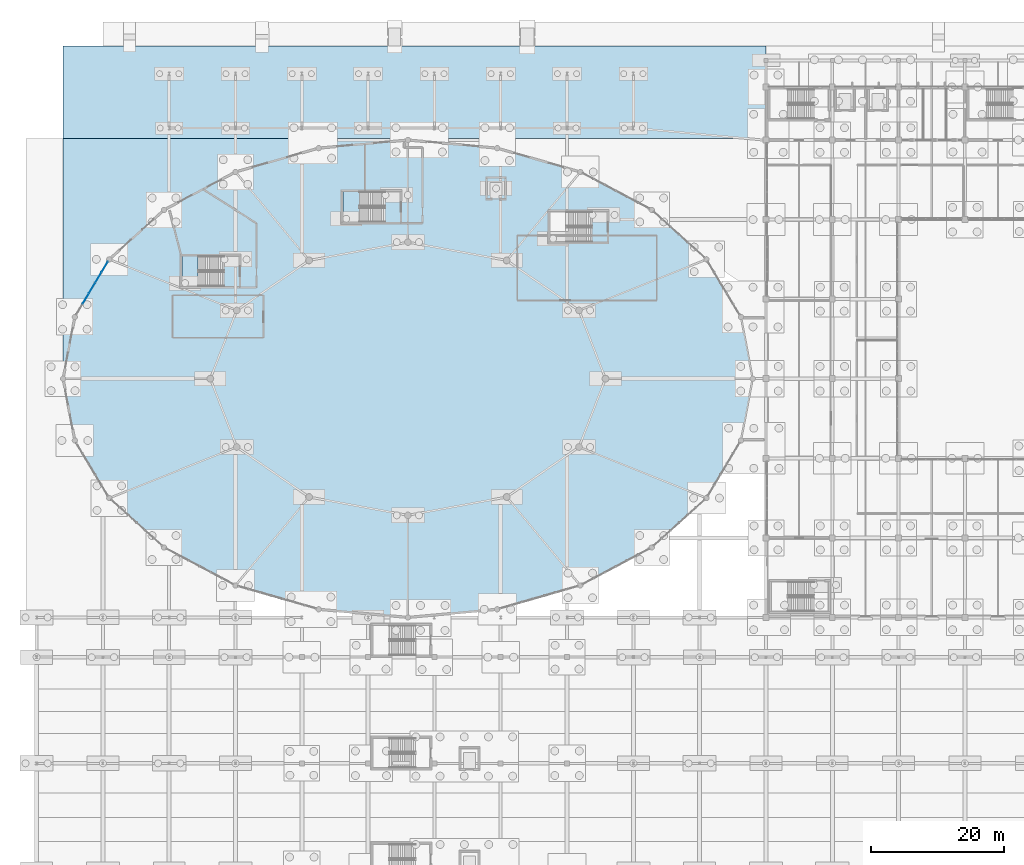
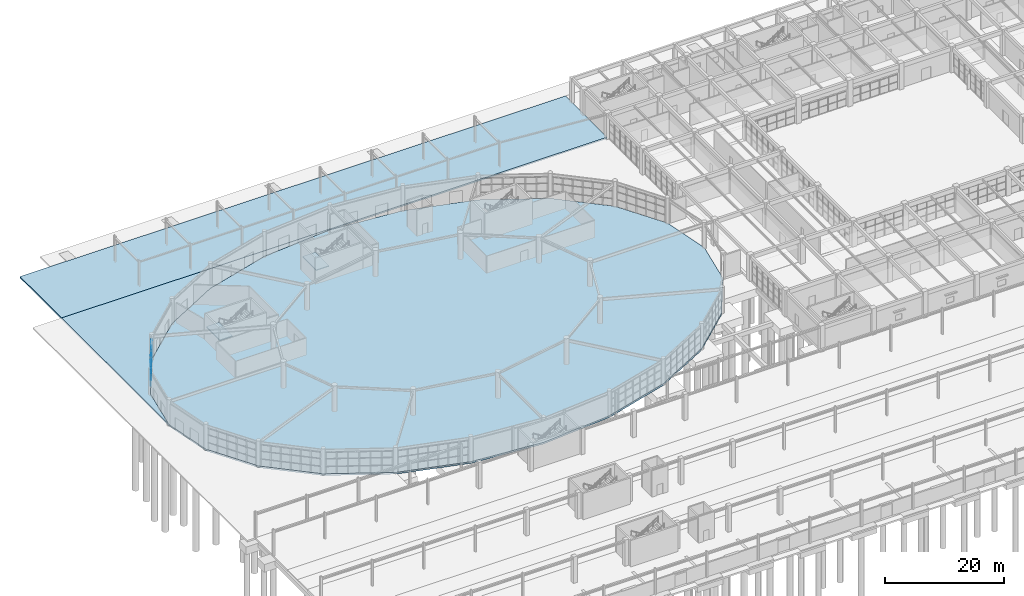
# One storey, part 68 of 99: 12 plates, 5 slabs, 3 elements without a shape of their own.
"""IFC4 building model written with IfcOpenShell, lengths in metres."""

from ifc_helpers import new_model, si_unit, direction, frame, origin, origin_2d, place, context, subcontext, project, spatial, polyline, rectangle, outline, extrude, material, layer, layer_set, type_object, element, aggregate, save


model = new_model("IFC4")

# Units and contexts
model_context = context("Model", 3, precision=1e-05, world=origin(), true_north=direction((0.0, 1.0)))
body_context = subcontext(model_context, "Body", "Model", "MODEL_VIEW")
ifc_project = project(units=[si_unit("LENGTHUNIT", "METRE"), si_unit("AREAUNIT", "SQUARE_METRE"), si_unit("VOLUMEUNIT", "CUBIC_METRE"), si_unit("PLANEANGLEUNIT", "RADIAN"), si_unit("MASSUNIT", "GRAM", prefix="KILO")], contexts=[model_context])

# Site, building, storey
site_placement = place(None, origin())
site = spatial("IfcSite", under=ifc_project, at=site_placement, CompositionType="ELEMENT")
building_placement = place(site_placement, origin())
building = spatial("IfcBuilding", under=site, at=building_placement, Name="Kivolera Central Railway Station", CompositionType="ELEMENT")
storey_placement = place(building_placement, origin())
storey = spatial("IfcBuildingStorey", under=building, at=storey_placement, Name="L00", CompositionType="ELEMENT", Elevation=0.0)

# Curtain wall, plates
ifc_material_1 = material(Name="Anodised aluminium", Category="aluminium")
ifc_layer_1 = layer(ifc_material_1, 0.179931640625, Name="Anodised aluminium")
ifc_layer_set_1 = layer_set([ifc_layer_1], Name="Anodised aluminium")
curtain_wall_type = type_object("IfcCurtainWallType", Name="CW-SYS-01", PredefinedType="NOTDEFINED", material=ifc_layer_set_1)
curtain_wall_placement = place(storey_placement, origin())
curtain_wall = element("IfcCurtainWall", 1, at=curtain_wall_placement, inside=storey, type_object=curtain_wall_type, Name="L00 Curtain Wall CW-L00-OVL-10", PredefinedType="NOTDEFINED")
ifc_material_2 = material(Name="Double low-E laminated glass", Category="glass")
ifc_layer_2 = layer(ifc_material_2, 0.02587890625, Name="Double low-E laminated glass")
ifc_layer_set_2 = layer_set([ifc_layer_2], Name="Double low-E laminated glass")
plate_type = type_object("IfcPlateType", Name="CWP-GLZ-1", PredefinedType="CURTAIN_PANEL", material=ifc_layer_set_2)
plate_1_placement = place(storey_placement, frame((15.41259765625, 102.05908203125, 0.05810546875), z_axis=(0.0, 0.0, 1.0), x_axis=(0.513453894052, 0.858117182372, 0.0)))
plate_1 = element("IfcPlate", 2, at=plate_1_placement, type_object=plate_type, Name="CW-01 panel 2.1", PredefinedType="CURTAIN_PANEL", context=body_context, shape_type="SweptSolid", body=[
    extrude(rectangle(XDim=1.81787109375, YDim=0.02587890625, at=origin_2d()), origin(), (0.0, 0.0, 1.0), 1.511474609375),
])
plate_2_placement = place(storey_placement, frame((15.41259765625, 102.05908203125, 1.615478515625), z_axis=(0.0, 0.0, 1.0), x_axis=(0.513453894052, 0.858117182372, 0.0)))
plate_2 = element("IfcPlate", 3, at=plate_2_placement, type_object=plate_type, Name="CW-01 panel 2.2", PredefinedType="CURTAIN_PANEL", context=body_context, shape_type="SweptSolid", body=[
    extrude(rectangle(XDim=1.81787109375, YDim=0.02587890625, at=origin_2d()), origin(), (0.0, 0.0, 1.0), 1.54638671875),
])
plate_3_placement = place(storey_placement, frame((15.41259765625, 102.05908203125, 3.2080078125), z_axis=(0.0, 0.0, 1.0), x_axis=(0.513453894052, 0.858117182372, 0.0)))
plate_3 = element("IfcPlate", 4, at=plate_3_placement, type_object=plate_type, Name="CW-01 panel 2.3", PredefinedType="CURTAIN_PANEL", context=body_context, shape_type="SweptSolid", body=[
    extrude(rectangle(XDim=1.81787109375, YDim=0.02587890625, at=origin_2d()), origin(), (0.0, 0.0, 1.0), 1.283935546875),
])
plate_4_placement = place(storey_placement, frame((16.369384765625, 103.658447265625, 0.05810546875), z_axis=(0.0, 0.0, 1.0), x_axis=(0.513453894052, 0.858117182372, 0.0)))
plate_4 = element("IfcPlate", 5, at=plate_4_placement, type_object=plate_type, Name="CW-01 panel 3.1", PredefinedType="CURTAIN_PANEL", context=body_context, shape_type="SweptSolid", body=[
    extrude(rectangle(XDim=1.81787109375, YDim=0.02587890625, at=origin_2d()), origin(), (0.0, 0.0, 1.0), 1.511474609375),
])
plate_5_placement = place(storey_placement, frame((16.369384765625, 103.658447265625, 1.615478515625), z_axis=(0.0, 0.0, 1.0), x_axis=(0.513453894052, 0.858117182372, 0.0)))
plate_5 = element("IfcPlate", 6, at=plate_5_placement, type_object=plate_type, Name="CW-01 panel 3.2", PredefinedType="CURTAIN_PANEL", context=body_context, shape_type="SweptSolid", body=[
    extrude(rectangle(XDim=1.81787109375, YDim=0.02587890625, at=origin_2d()), origin(), (0.0, 0.0, 1.0), 1.54638671875),
])
plate_6_placement = place(storey_placement, frame((16.369384765625, 103.658447265625, 3.2080078125), z_axis=(0.0, 0.0, 1.0), x_axis=(0.513453894052, 0.858117182372, 0.0)))
plate_6 = element("IfcPlate", 7, at=plate_6_placement, type_object=plate_type, Name="CW-01 panel 3.3", PredefinedType="CURTAIN_PANEL", context=body_context, shape_type="SweptSolid", body=[
    extrude(rectangle(XDim=1.81787109375, YDim=0.02587890625, at=origin_2d()), origin(), (0.0, 0.0, 1.0), 1.283935546875),
])
plate_7_placement = place(storey_placement, frame((17.326416015625, 105.2578125, 0.05810546875), z_axis=(0.0, 0.0, 1.0), x_axis=(0.513453894052, 0.858117182372, 0.0)))
plate_7 = element("IfcPlate", 8, at=plate_7_placement, type_object=plate_type, Name="CW-01 panel 4.1", PredefinedType="CURTAIN_PANEL", context=body_context, shape_type="SweptSolid", body=[
    extrude(rectangle(XDim=1.81787109375, YDim=0.02587890625, at=origin_2d()), origin(), (0.0, 0.0, 1.0), 1.511474609375),
])
plate_8_placement = place(storey_placement, frame((17.326416015625, 105.2578125, 1.615478515625), z_axis=(0.0, 0.0, 1.0), x_axis=(0.513453894052, 0.858117182372, 0.0)))
plate_8 = element("IfcPlate", 9, at=plate_8_placement, type_object=plate_type, Name="CW-01 panel 4.2", PredefinedType="CURTAIN_PANEL", context=body_context, shape_type="SweptSolid", body=[
    extrude(rectangle(XDim=1.81787109375, YDim=0.02587890625, at=origin_2d()), origin(), (0.0, 0.0, 1.0), 1.54638671875),
])
plate_9_placement = place(storey_placement, frame((17.326416015625, 105.2578125, 3.2080078125), z_axis=(0.0, 0.0, 1.0), x_axis=(0.513453894052, 0.858117182372, 0.0)))
plate_9 = element("IfcPlate", 10, at=plate_9_placement, type_object=plate_type, Name="CW-01 panel 4.3", PredefinedType="CURTAIN_PANEL", context=body_context, shape_type="SweptSolid", body=[
    extrude(rectangle(XDim=1.81787109375, YDim=0.02587890625, at=origin_2d()), origin(), (0.0, 0.0, 1.0), 1.283935546875),
])
plate_10_placement = place(storey_placement, frame((18.2744140625, 106.84228515625, 0.05810546875), z_axis=(0.0, 0.0, 1.0), x_axis=(0.513453894052, 0.858117182372, 0.0)))
plate_10 = element("IfcPlate", 11, at=plate_10_placement, type_object=plate_type, Name="CW-01 panel 5.1", PredefinedType="CURTAIN_PANEL", context=body_context, shape_type="SweptSolid", body=[
    extrude(rectangle(XDim=1.782958984375, YDim=0.02587890625, at=origin_2d()), origin(), (0.0, 0.0, 1.0), 1.511474609375),
])
plate_11_placement = place(storey_placement, frame((18.2744140625, 106.84228515625, 1.615478515625), z_axis=(0.0, 0.0, 1.0), x_axis=(0.513453894052, 0.858117182372, 0.0)))
plate_11 = element("IfcPlate", 12, at=plate_11_placement, type_object=plate_type, Name="CW-01 panel 5.2", PredefinedType="CURTAIN_PANEL", context=body_context, shape_type="SweptSolid", body=[
    extrude(rectangle(XDim=1.782958984375, YDim=0.02587890625, at=origin_2d()), origin(), (0.0, 0.0, 1.0), 1.54638671875),
])
plate_12_placement = place(storey_placement, frame((18.2744140625, 106.84228515625, 3.2080078125), z_axis=(0.0, 0.0, 1.0), x_axis=(0.513453894052, 0.858117182372, 0.0)))
plate_12 = element("IfcPlate", 13, at=plate_12_placement, type_object=plate_type, Name="CW-01 panel 5.3", PredefinedType="CURTAIN_PANEL", context=body_context, shape_type="SweptSolid", body=[
    extrude(rectangle(XDim=1.782958984375, YDim=0.02587890625, at=origin_2d()), origin(), (0.0, 0.0, 1.0), 1.283935546875),
])
aggregate(curtain_wall, [plate_1, plate_2, plate_3, plate_4, plate_5, plate_6, plate_7, plate_8, plate_9, plate_10, plate_11, plate_12])

# Slabs
ifc_material_3 = material(Name="Concrete C35/45", Category="concrete")
ifc_layer_3 = layer(ifc_material_3, 0.35009765625, Name="Concrete C35/45")
ifc_layer_set_3 = layer_set([ifc_layer_3], Name="Concrete C35/45")
slab_type_1 = type_object("IfcSlabType", Name="SLB-BASE-350", PredefinedType="BASESLAB", material=ifc_layer_set_3)
slab_1_placement = place(storey_placement, frame((0.0, 0.0, -0.35009765625)))
element("IfcSlab", 14, at=slab_1_placement, inside=storey, type_object=slab_type_1, Name="L00 Oval Ticket Hall and Concourse Base Slab", PredefinedType="BASESLAB", context=body_context, shape_type="SweptSolid", body=[
    extrude(outline(polyline([(116.0, 90.0), (114.22802734375, 99.31689453125), (109.032958984375, 108.0), (100.77001953125, 115.4560546875), (90.0, 121.177001953125), (77.458984375, 124.77294921875), (64.0, 126.0), (50.541015625, 124.77294921875), (38.0, 121.177001953125), (27.22998046875, 115.4560546875), (18.967041015625, 108.0), (13.77197265625, 99.31689453125), (12.0, 90.0), (13.77197265625, 80.68310546875), (18.967041015625, 72.0), (27.22998046875, 64.5439453125), (38.0, 58.822998046875), (50.541015625, 55.22705078125), (64.0, 54.0), (77.458984375, 55.22705078125), (90.0, 58.822998046875), (100.77001953125, 64.5439453125), (109.032958984375, 72.0), (114.22802734375, 80.68310546875), (116.0, 90.0)])), origin(), (0.0, 0.0, 1.0), 0.35009765625),
])
ifc_layer_4 = layer(ifc_material_3, 0.300048828125, Name="Concrete C35/45")
ifc_layer_set_4 = layer_set([ifc_layer_4], Name="Concrete C35/45")
slab_type_2 = type_object("IfcSlabType", Name="SLB-EXT-300", PredefinedType="BASESLAB", material=ifc_layer_set_4)
slab_2_placement = place(storey_placement, frame((0.0, 0.0, -0.300048828125)))
element("IfcSlab", 15, at=slab_2_placement, inside=storey, type_object=slab_type_2, Name="Forecourt Interchange Drop-Off and Roadway Apron Slab", PredefinedType="BASESLAB", context=body_context, shape_type="SweptSolid", body=[
    extrude(outline(polyline([(12.0, 126.199951171875), (118.0, 126.199951171875), (118.0, 140.199951171875), (12.0, 140.199951171875), (12.0, 126.199951171875)])), origin(), (0.0, 0.0, 1.0), 0.300048828125),
])
slab_3_placement = place(storey_placement, frame((0.0, 0.0, -0.300048828125)))
element("IfcSlab", 16, at=slab_3_placement, inside=storey, type_object=slab_type_2, Name="North-West Concourse Forecourt Apron Slab", PredefinedType="BASESLAB", context=body_context, shape_type="SweptSolid", body=[
    extrude(outline(polyline([(12.0, 90.0), (12.0, 126.199951171875), (64.0, 126.199951171875), (64.0, 126.0), (50.541015625, 124.77294921875), (38.0, 121.177001953125), (27.22998046875, 115.4560546875), (18.967041015625, 108.0), (13.77197265625, 99.31689453125), (12.0, 90.0), (12.0, 90.0)])), origin(), (0.0, 0.0, 1.0), 0.300048828125),
])

# Stair, slab
ifc_material_4 = material(Name="Concrete C40/50", Category="concrete")
stair_type = type_object("IfcStairType", Name="STR-2200-30", PredefinedType="HALF_TURN_STAIR", material=ifc_material_4)
stair_1_placement = place(storey_placement, origin())
stair_1 = element("IfcStair", 17, at=stair_1_placement, inside=storey, type_object=stair_type, Name="L00 North Concourse Exit Stair ST5", PredefinedType="HALF_TURN_STAIR")
ifc_layer_5 = layer(ifc_material_4, 0.199951171875, Name="Concrete C40/50")
ifc_layer_set_5 = layer_set([ifc_layer_5], Name="Concrete C40/50")
slab_type_3 = type_object("IfcSlabType", Name="SLB-LND-200", PredefinedType="LANDING", material=ifc_layer_set_5)
slab_4_placement = place(storey_placement, frame((0.0, 0.0, 2.5)))
slab_4 = element("IfcSlab", 18, at=slab_4_placement, type_object=slab_type_3, Name="ST5 landing 1", PredefinedType="LANDING", context=body_context, shape_type="SweptSolid", body=[
    extrude(outline(polyline([(56.679931640625, 118.199951171875), (54.199951171875, 118.199951171875), (54.199951171875, 113.6201171875), (56.679931640625, 113.6201171875), (56.679931640625, 118.199951171875)])), origin(), (0.0, 0.0, 1.0), 0.199951171875),
])
aggregate(stair_1, [slab_4])

stair_2_placement = place(storey_placement, origin())
stair_2 = element("IfcStair", 19, at=stair_2_placement, inside=storey, type_object=stair_type, Name="L00 West Concourse Exit Stair ST6", PredefinedType="HALF_TURN_STAIR")
slab_5_placement = place(storey_placement, frame((0.0, 0.0, 2.5)))
slab_5 = element("IfcSlab", 20, at=slab_5_placement, type_object=slab_type_3, Name="ST6 landing 1", PredefinedType="LANDING", context=body_context, shape_type="SweptSolid", body=[
    extrude(outline(polyline([(32.3798828125, 108.5), (29.89990234375, 108.5), (29.89990234375, 103.919921875), (32.3798828125, 103.919921875), (32.3798828125, 108.5)])), origin(), (0.0, 0.0, 1.0), 0.199951171875),
])
aggregate(stair_2, [slab_5])

save(model, "model.ifc")
